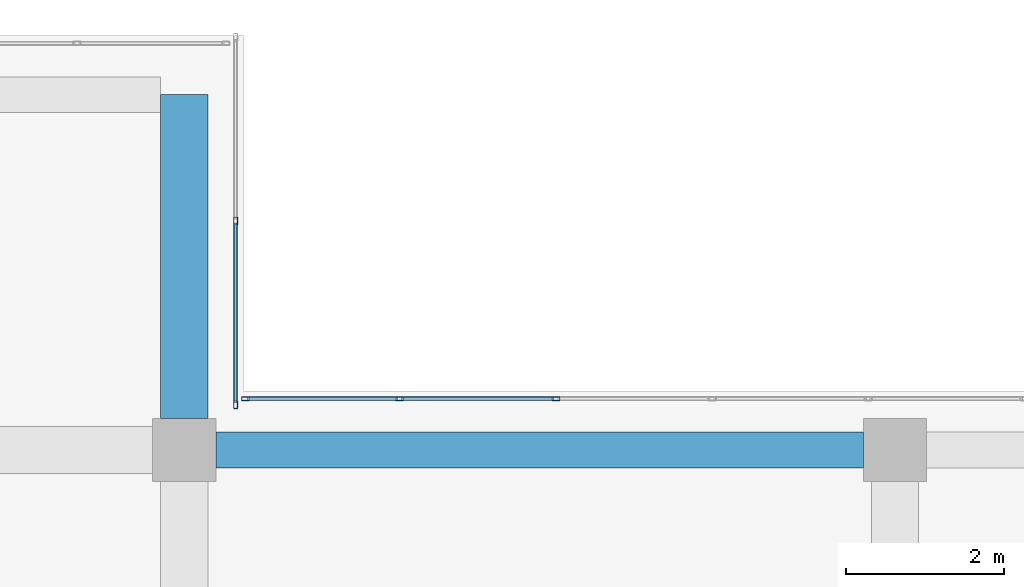
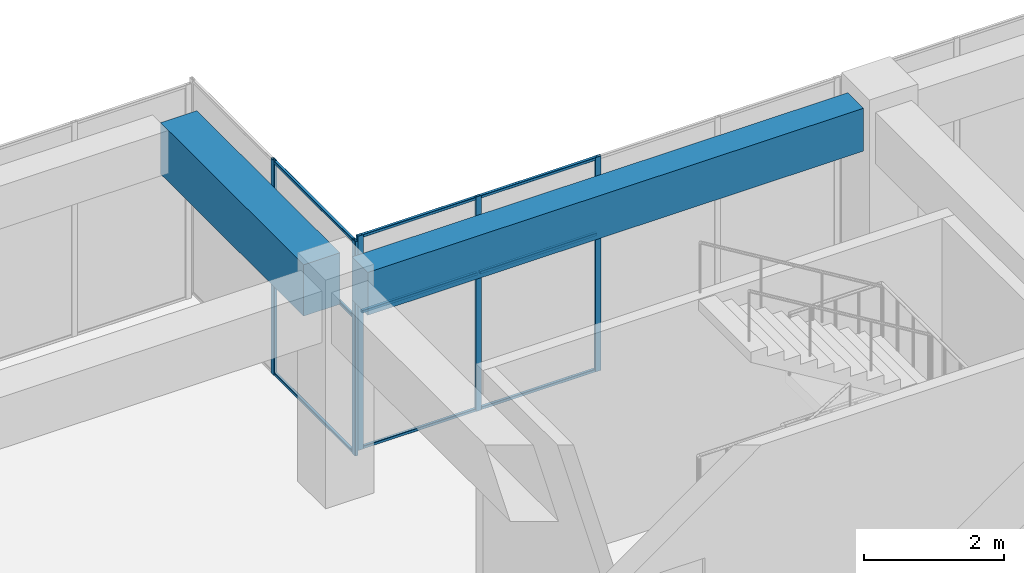
# One storey, part 35 of 65: 14 members, 2 beams, 2 elements without a shape of their own.
"""IFC4 building model written with IfcOpenShell, lengths in metres."""

from ifc_helpers import new_model, si_unit, direction, frame, origin, origin_2d, place, context, subcontext, project, spatial, rectangle, hollow_rectangle, extrude, material, layer, layer_set, material_profile, profile_set, type_object, element, aggregate, save


model = new_model("IFC4")

# Units and contexts
model_context = context("Model", 3, precision=1e-05, world=origin(), true_north=direction((0.0, 1.0)))
body_context = subcontext(model_context, "Body", "Model", "MODEL_VIEW")
ifc_project = project(units=[si_unit("LENGTHUNIT", "METRE"), si_unit("AREAUNIT", "SQUARE_METRE"), si_unit("VOLUMEUNIT", "CUBIC_METRE"), si_unit("PLANEANGLEUNIT", "RADIAN"), si_unit("MASSUNIT", "GRAM", prefix="KILO")], contexts=[model_context])

# Site, building, storey
site_placement = place(None, origin())
site = spatial("IfcSite", under=ifc_project, at=site_placement, CompositionType="ELEMENT")
building_placement = place(site_placement, origin())
building = spatial("IfcBuilding", under=site, at=building_placement, Name="Tuart Plaza Theatre", CompositionType="ELEMENT")
storey_placement = place(building_placement, frame((0.0, 0.0, 9.5)))
storey = spatial("IfcBuildingStorey", under=building, at=storey_placement, Name="L02", CompositionType="ELEMENT", Elevation=9.5)

# Beams
ifc_material_1 = material(Name="Concrete N40 (40 MPa)", Category="concrete")
ifc_material_profile_1 = material_profile(ifc_material_1, rectangle(XDim=0.449951171875, YDim=0.75, at=origin_2d()), Name="BEAM 450x750 Concrete N40 (40 MPa)")
ifc_profile_set_1 = profile_set([ifc_material_profile_1], Name="Concrete N40 (40 MPa)")
beam_type_1 = type_object("IfcBeamType", Name="BEAM 450x750 Concrete N40 (40 MPa)", PredefinedType="BEAM", material=ifc_profile_set_1)
beam_1_placement = place(storey_placement, frame((132.39990234375, 92.0, 3.375), z_axis=(1.0, 0.0, 0.0), x_axis=(0.0, 1.0, 0.0)))
element("IfcBeam", 1, at=beam_1_placement, inside=storey, type_object=beam_type_1, Name="RB187", PredefinedType="BEAM", context=body_context, shape_type="SweptSolid", body=[
    extrude(rectangle(XDim=0.449951171875, YDim=0.75, at=origin_2d()), origin(), (0.0, 0.0, 1.0), 8.2001953125),
])
ifc_material_2 = material(Name="Concrete N40 (40 MPa)", Category="concrete")
ifc_material_profile_2 = material_profile(ifc_material_2, rectangle(XDim=0.60009765625, YDim=0.89990234375, at=origin_2d()), Name="BEAM 600x900 Concrete N40 (40 MPa)")
ifc_profile_set_2 = profile_set([ifc_material_profile_2], Name="Concrete N40 (40 MPa)")
beam_type_2 = type_object("IfcBeamType", Name="BEAM 600x900 Concrete N40 (40 MPa)", PredefinedType="BEAM", material=ifc_profile_set_2)
beam_2_placement = place(storey_placement, frame((132.0, 92.39990234375, 3.300048828125), z_axis=(0.0, 1.0, 0.0), x_axis=(-1.0, 0.0, 0.0)))
element("IfcBeam", 2, at=beam_2_placement, inside=storey, type_object=beam_type_2, Name="RB186", PredefinedType="BEAM", context=body_context, shape_type="SweptSolid", body=[
    extrude(rectangle(XDim=0.60009765625, YDim=0.89990234375, at=origin_2d()), origin(), (0.0, 0.0, 1.0), 4.10009765625),
])

# Curtain wall, members
ifc_material_3 = material(Name="Aluminium and glass", Category="aluminium")
ifc_layer = layer(ifc_material_3, 0.10009765625)
ifc_layer_set = layer_set([ifc_layer], Name="CURTAIN WALL 2000 module")
curtain_wall_type = type_object("IfcCurtainWallType", Name="CURTAIN WALL 2000 module", PredefinedType="NOTDEFINED", material=ifc_layer_set)
curtain_wall_1_placement = place(storey_placement, origin())
curtain_wall_1 = element("IfcCurtainWall", 3, at=curtain_wall_1_placement, inside=storey, type_object=curtain_wall_type, Name="CW70", PredefinedType="NOTDEFINED")
ifc_material_4 = material(Name="Aluminium 6063-T5", Category="aluminium")
ifc_material_profile_3 = material_profile(ifc_material_4, hollow_rectangle(XDim=0.050048828125, YDim=0.10009765625, WallThickness=0.00390625, InnerFilletRadius=0.00390625, OuterFilletRadius=0.008056640625, at=origin_2d()), Name="RHS 100x50x4")
ifc_profile_set_3 = profile_set([ifc_material_profile_3], Name="Aluminium 6063-T5")
member_type_1 = type_object("IfcMemberType", Name="MULLION RHS 100x50x4", PredefinedType="MULLION", material=ifc_profile_set_3)
member_1_placement = place(storey_placement, frame((136.70556640625, 92.64990234375, 0.0), z_axis=(0.0, 0.0, 1.0), x_axis=(0.0, -1.0, 0.0)))
member_1 = element("IfcMember", 4, at=member_1_placement, type_object=member_type_1, Name="CW70 mullion 8", PredefinedType="MULLION", context=body_context, shape_type="SweptSolid", body=[
    extrude(hollow_rectangle(XDim=0.050048828125, YDim=0.10009765625, WallThickness=0.00390625, InnerFilletRadius=0.00390625, OuterFilletRadius=0.008056640625, at=origin_2d()), origin(), (0.0, 0.0, 1.0), 3.75),
])
member_2_placement = place(storey_placement, frame((134.727783203125, 92.64990234375, 0.0), z_axis=(0.0, 0.0, 1.0), x_axis=(0.0, -1.0, 0.0)))
member_2 = element("IfcMember", 5, at=member_2_placement, type_object=member_type_1, Name="CW70 mullion 9", PredefinedType="MULLION", context=body_context, shape_type="SweptSolid", body=[
    extrude(hollow_rectangle(XDim=0.050048828125, YDim=0.10009765625, WallThickness=0.00390625, InnerFilletRadius=0.00390625, OuterFilletRadius=0.008056640625, at=origin_2d()), origin(), (0.0, 0.0, 1.0), 3.75),
])
member_3_placement = place(storey_placement, frame((132.77490234375, 92.64990234375, 0.0), z_axis=(0.0, 0.0, 1.0), x_axis=(0.0, -1.0, 0.0)))
member_3 = element("IfcMember", 6, at=member_3_placement, type_object=member_type_1, Name="CW70 mullion 10", PredefinedType="MULLION", context=body_context, shape_type="SweptSolid", body=[
    extrude(hollow_rectangle(XDim=0.050048828125, YDim=0.10009765625, WallThickness=0.00390625, InnerFilletRadius=0.00390625, OuterFilletRadius=0.008056640625, at=origin_2d()), origin(), (0.0, 0.0, 1.0), 3.75),
])

curtain_wall_2_placement = place(storey_placement, origin())
curtain_wall_2 = element("IfcCurtainWall", 7, at=curtain_wall_2_placement, inside=storey, type_object=curtain_wall_type, Name="CW71", PredefinedType="NOTDEFINED")
member_4_placement = place(storey_placement, frame((132.64990234375, 92.574951171875, 0.0), z_axis=(0.0, 0.0, 1.0), x_axis=(-1.0, 0.0, 0.0)))
member_4 = element("IfcMember", 8, at=member_4_placement, type_object=member_type_1, Name="CW71 mullion 1", PredefinedType="MULLION", context=body_context, shape_type="SweptSolid", body=[
    extrude(hollow_rectangle(XDim=0.050048828125, YDim=0.10009765625, WallThickness=0.00390625, InnerFilletRadius=0.00390625, OuterFilletRadius=0.008056640625, at=origin_2d()), origin(), (0.0, 0.0, 1.0), 3.75),
])
member_5_placement = place(storey_placement, frame((132.64990234375, 94.89990234375, 0.0), z_axis=(0.0, 0.0, 1.0), x_axis=(-1.0, 0.0, 0.0)))
member_5 = element("IfcMember", 9, at=member_5_placement, type_object=member_type_1, Name="CW71 mullion 2", PredefinedType="MULLION", context=body_context, shape_type="SweptSolid", body=[
    extrude(hollow_rectangle(XDim=0.050048828125, YDim=0.10009765625, WallThickness=0.00390625, InnerFilletRadius=0.00390625, OuterFilletRadius=0.008056640625, at=origin_2d()), origin(), (0.0, 0.0, 1.0), 3.75),
])

# Member
ifc_material_5 = material(Name="Aluminium 6063-T5", Category="aluminium")
ifc_material_profile_4 = material_profile(ifc_material_5, hollow_rectangle(XDim=0.050048828125, YDim=0.050048828125, WallThickness=0.00390625, InnerFilletRadius=0.00390625, OuterFilletRadius=0.008056640625, at=origin_2d()), Name="RHS 50x50x4")
ifc_profile_set_4 = profile_set([ifc_material_profile_4], Name="Aluminium 6063-T5")
member_type_2 = type_object("IfcMemberType", Name="TRANSOM RHS 50x50x4", PredefinedType="USERDEFINED", material=ifc_profile_set_4)
member_6_placement = place(storey_placement, frame((136.6806640625, 92.64990234375, 0.02490234375), z_axis=(-1.0, 0.0, 0.0), x_axis=(0.0, -1.0, 0.0)))
member_6 = element("IfcMember", 10, at=member_6_placement, type_object=member_type_2, Name="CW70 transom 8.1", ObjectType="TRANSOM", PredefinedType="USERDEFINED", context=body_context, shape_type="SweptSolid", body=[
    extrude(hollow_rectangle(XDim=0.050048828125, YDim=0.050048828125, WallThickness=0.00390625, InnerFilletRadius=0.00390625, OuterFilletRadius=0.008056640625, at=origin_2d()), origin(), (0.0, 0.0, 1.0), 1.927978515625),
])

member_7_placement = place(storey_placement, frame((136.6806640625, 92.64990234375, 2.39990234375), z_axis=(-1.0, 0.0, 0.0), x_axis=(0.0, -1.0, 0.0)))
member_7 = element("IfcMember", 11, at=member_7_placement, type_object=member_type_2, Name="CW70 transom 8.2", ObjectType="TRANSOM", PredefinedType="USERDEFINED", context=body_context, shape_type="SweptSolid", body=[
    extrude(hollow_rectangle(XDim=0.050048828125, YDim=0.050048828125, WallThickness=0.00390625, InnerFilletRadius=0.00390625, OuterFilletRadius=0.008056640625, at=origin_2d()), origin(), (0.0, 0.0, 1.0), 1.927978515625),
])

member_8_placement = place(storey_placement, frame((136.6806640625, 92.64990234375, 3.72509765625), z_axis=(-1.0, 0.0, 0.0), x_axis=(0.0, -1.0, 0.0)))
member_8 = element("IfcMember", 12, at=member_8_placement, type_object=member_type_2, Name="CW70 transom 8.3", ObjectType="TRANSOM", PredefinedType="USERDEFINED", context=body_context, shape_type="SweptSolid", body=[
    extrude(hollow_rectangle(XDim=0.050048828125, YDim=0.050048828125, WallThickness=0.00390625, InnerFilletRadius=0.00390625, OuterFilletRadius=0.008056640625, at=origin_2d()), origin(), (0.0, 0.0, 1.0), 1.927978515625),
])

member_9_placement = place(storey_placement, frame((134.702880859375, 92.64990234375, 0.02490234375), z_axis=(-1.0, 0.0, 0.0), x_axis=(0.0, -1.0, 0.0)))
member_9 = element("IfcMember", 13, at=member_9_placement, type_object=member_type_2, Name="CW70 transom 9.1", ObjectType="TRANSOM", PredefinedType="USERDEFINED", context=body_context, shape_type="SweptSolid", body=[
    extrude(hollow_rectangle(XDim=0.050048828125, YDim=0.050048828125, WallThickness=0.00390625, InnerFilletRadius=0.00390625, OuterFilletRadius=0.008056640625, at=origin_2d()), origin(), (0.0, 0.0, 1.0), 1.90283203125),
])

member_10_placement = place(storey_placement, frame((134.702880859375, 92.64990234375, 2.39990234375), z_axis=(-1.0, 0.0, 0.0), x_axis=(0.0, -1.0, 0.0)))
member_10 = element("IfcMember", 14, at=member_10_placement, type_object=member_type_2, Name="CW70 transom 9.2", ObjectType="TRANSOM", PredefinedType="USERDEFINED", context=body_context, shape_type="SweptSolid", body=[
    extrude(hollow_rectangle(XDim=0.050048828125, YDim=0.050048828125, WallThickness=0.00390625, InnerFilletRadius=0.00390625, OuterFilletRadius=0.008056640625, at=origin_2d()), origin(), (0.0, 0.0, 1.0), 1.90283203125),
])

member_11_placement = place(storey_placement, frame((134.702880859375, 92.64990234375, 3.72509765625), z_axis=(-1.0, 0.0, 0.0), x_axis=(0.0, -1.0, 0.0)))
member_11 = element("IfcMember", 15, at=member_11_placement, type_object=member_type_2, Name="CW70 transom 9.3", ObjectType="TRANSOM", PredefinedType="USERDEFINED", context=body_context, shape_type="SweptSolid", body=[
    extrude(hollow_rectangle(XDim=0.050048828125, YDim=0.050048828125, WallThickness=0.00390625, InnerFilletRadius=0.00390625, OuterFilletRadius=0.008056640625, at=origin_2d()), origin(), (0.0, 0.0, 1.0), 1.90283203125),
])

aggregate(curtain_wall_1, [member_1, member_2, member_3, member_6, member_7, member_8, member_9, member_10, member_11])

member_12_placement = place(storey_placement, frame((132.64990234375, 92.60009765625, 0.02490234375), z_axis=(0.0, 1.0, 0.0), x_axis=(-1.0, 0.0, 0.0)))
member_12 = element("IfcMember", 16, at=member_12_placement, type_object=member_type_2, Name="CW71 transom 1.1", ObjectType="TRANSOM", PredefinedType="USERDEFINED", context=body_context, shape_type="SweptSolid", body=[
    extrude(hollow_rectangle(XDim=0.050048828125, YDim=0.050048828125, WallThickness=0.00390625, InnerFilletRadius=0.00390625, OuterFilletRadius=0.008056640625, at=origin_2d()), origin(), (0.0, 0.0, 1.0), 2.27490234375),
])

member_13_placement = place(storey_placement, frame((132.64990234375, 92.60009765625, 2.39990234375), z_axis=(0.0, 1.0, 0.0), x_axis=(-1.0, 0.0, 0.0)))
member_13 = element("IfcMember", 17, at=member_13_placement, type_object=member_type_2, Name="CW71 transom 1.2", ObjectType="TRANSOM", PredefinedType="USERDEFINED", context=body_context, shape_type="SweptSolid", body=[
    extrude(hollow_rectangle(XDim=0.050048828125, YDim=0.050048828125, WallThickness=0.00390625, InnerFilletRadius=0.00390625, OuterFilletRadius=0.008056640625, at=origin_2d()), origin(), (0.0, 0.0, 1.0), 2.27490234375),
])

member_14_placement = place(storey_placement, frame((132.64990234375, 92.60009765625, 3.72509765625), z_axis=(0.0, 1.0, 0.0), x_axis=(-1.0, 0.0, 0.0)))
member_14 = element("IfcMember", 18, at=member_14_placement, type_object=member_type_2, Name="CW71 transom 1.3", ObjectType="TRANSOM", PredefinedType="USERDEFINED", context=body_context, shape_type="SweptSolid", body=[
    extrude(hollow_rectangle(XDim=0.050048828125, YDim=0.050048828125, WallThickness=0.00390625, InnerFilletRadius=0.00390625, OuterFilletRadius=0.008056640625, at=origin_2d()), origin(), (0.0, 0.0, 1.0), 2.27490234375),
])

aggregate(curtain_wall_2, [member_4, member_5, member_12, member_13, member_14])

save(model, "model.ifc")
